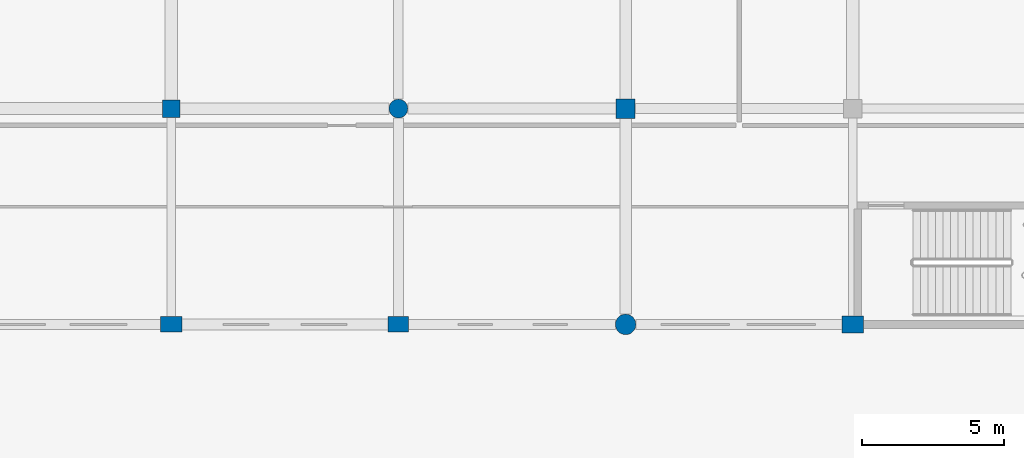
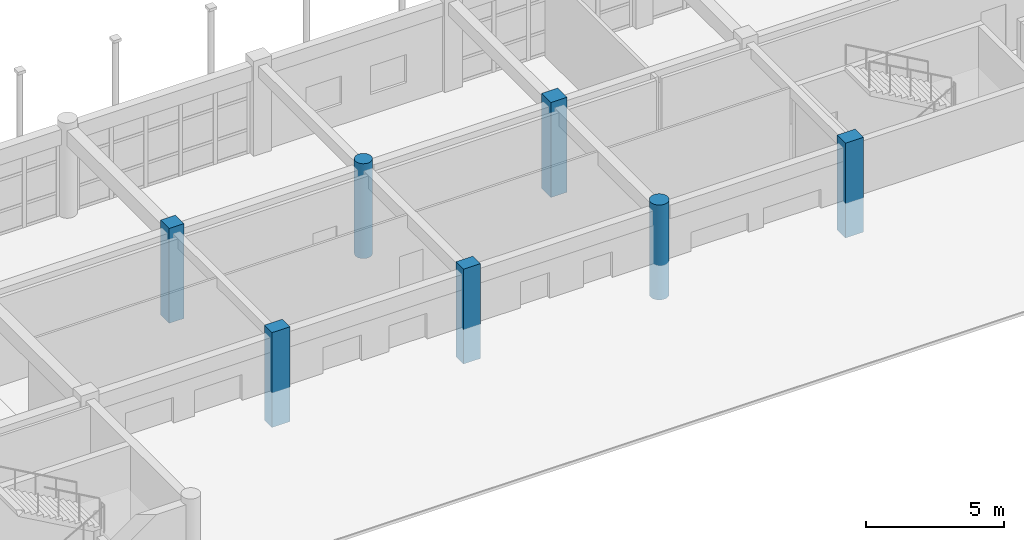
# One storey, part 6 of 195: 7 columns.
"""IFC4 building model written with IfcOpenShell, lengths in metres."""

from ifc_helpers import new_model, si_unit, direction, frame, origin, origin_2d, place, context, subcontext, project, spatial, rectangle, circle, extrude, material, material_profile, profile_set, type_object, element, save


model = new_model("IFC4")

# Units and contexts
model_context = context("Model", 3, precision=1e-05, world=origin(), true_north=direction((0.0, 1.0)))
body_context = subcontext(model_context, "Body", "Model", "MODEL_VIEW")
ifc_project = project(units=[si_unit("LENGTHUNIT", "METRE"), si_unit("AREAUNIT", "SQUARE_METRE"), si_unit("VOLUMEUNIT", "CUBIC_METRE"), si_unit("PLANEANGLEUNIT", "RADIAN"), si_unit("MASSUNIT", "GRAM", prefix="KILO")], contexts=[model_context])

# Site, building, storey
site_placement = place(None, origin())
site = spatial("IfcSite", under=ifc_project, at=site_placement, CompositionType="ELEMENT")
building_placement = place(site_placement, origin())
building = spatial("IfcBuilding", under=site, at=building_placement, Name="Kharva Crest Polytechnic", CompositionType="ELEMENT")
storey_placement = place(building_placement, frame((0.0, 0.0, 9.0)))
storey = spatial("IfcBuildingStorey", under=building, at=storey_placement, Name="L02", CompositionType="ELEMENT", Elevation=9.0)

# Columns
ifc_material = material(Name="Concrete C40/50", Category="concrete")
ifc_material_profile_1 = material_profile(ifc_material, rectangle(XDim=0.719970703125, YDim=0.550048828125, at=origin_2d()), Name="RECT 720 X 550")
ifc_profile_set_1 = profile_set([ifc_material_profile_1], Name="Concrete C40/50")
column_type_1 = type_object("IfcColumnType", Name="COL-EXT-720X550", PredefinedType="COLUMN", material=ifc_profile_set_1)
column_1_placement = place(storey_placement, frame((72.0, 7.60009765625, 0.0), z_axis=(0.0, 0.0, 1.0), x_axis=(1.0, 0.0, 0.0)))
element("IfcColumn", 1, at=column_1_placement, inside=storey, type_object=column_type_1, Name="L02 Column 10/B", PredefinedType="COLUMN", context=body_context, shape_type="SweptSolid", body=[
    extrude(rectangle(XDim=0.719970703125, YDim=0.550048828125, at=origin_2d()), origin(), (0.0, 0.0, 1.0), 4.199951171875),
])
ifc_material_profile_2 = material_profile(ifc_material, rectangle(XDim=0.75, YDim=0.550048828125, at=origin_2d()), Name="RECT 750 X 550")
ifc_profile_set_2 = profile_set([ifc_material_profile_2], Name="Concrete C40/50")
column_type_2 = type_object("IfcColumnType", Name="COL-EXT-750X550", PredefinedType="COLUMN", material=ifc_profile_set_2)
column_2_placement = place(storey_placement, frame((64.0, 7.60009765625, 0.0), z_axis=(0.0, 0.0, 1.0), x_axis=(1.0, 0.0, 0.0)))
element("IfcColumn", 2, at=column_2_placement, inside=storey, type_object=column_type_2, Name="L02 Column 9/B", PredefinedType="COLUMN", context=body_context, shape_type="SweptSolid", body=[
    extrude(rectangle(XDim=0.75, YDim=0.550048828125, at=origin_2d()), origin(), (0.0, 0.0, 1.0), 4.199951171875),
])
ifc_material_profile_3 = material_profile(ifc_material, rectangle(XDim=0.75, YDim=0.60009765625, at=origin_2d()), Name="RECT 750 X 600")
ifc_profile_set_3 = profile_set([ifc_material_profile_3], Name="Concrete C40/50")
column_type_3 = type_object("IfcColumnType", Name="COL-EXT-750X600", PredefinedType="COLUMN", material=ifc_profile_set_3)
column_3_placement = place(storey_placement, frame((88.0, 7.60009765625, 0.0), z_axis=(0.0, 0.0, 1.0), x_axis=(1.0, 0.0, 0.0)))
element("IfcColumn", 3, at=column_3_placement, inside=storey, type_object=column_type_3, Name="L02 Column 12/B", PredefinedType="COLUMN", context=body_context, shape_type="SweptSolid", body=[
    extrude(rectangle(XDim=0.75, YDim=0.60009765625, at=origin_2d()), origin(), (0.0, 0.0, 1.0), 4.199951171875),
])
ifc_material_profile_4 = material_profile(ifc_material, circle(Radius=0.360107421875, at=origin_2d()), Name="DIA 720")
ifc_profile_set_4 = profile_set([ifc_material_profile_4], Name="Concrete C40/50")
column_type_4 = type_object("IfcColumnType", Name="COL-EXT-DIA720", PredefinedType="COLUMN", material=ifc_profile_set_4)
column_4_placement = place(storey_placement, frame((80.0, 7.60009765625, 0.0), z_axis=(0.0, 0.0, 1.0), x_axis=(1.0, 0.0, 0.0)))
element("IfcColumn", 4, at=column_4_placement, inside=storey, type_object=column_type_4, Name="L02 Column 11/B", PredefinedType="COLUMN", context=body_context, shape_type="SweptSolid", body=[
    extrude(circle(Radius=0.360107421875, at=origin_2d()), origin(), (0.0, 0.0, 1.0), 4.199951171875),
])
ifc_material_profile_5 = material_profile(ifc_material, rectangle(XDim=0.6201171875, YDim=0.6201171875, at=origin_2d()), Name="RECT 620 X 620")
ifc_profile_set_5 = profile_set([ifc_material_profile_5], Name="Concrete C40/50")
column_type_5 = type_object("IfcColumnType", Name="COL-INT-620X620", PredefinedType="COLUMN", material=ifc_profile_set_5)
column_5_placement = place(storey_placement, frame((64.0, 15.199951171875, 0.0), z_axis=(0.0, 0.0, 1.0), x_axis=(1.0, 0.0, 0.0)))
element("IfcColumn", 5, at=column_5_placement, inside=storey, type_object=column_type_5, Name="L02 Column 9/C", PredefinedType="COLUMN", context=body_context, shape_type="SweptSolid", body=[
    extrude(rectangle(XDim=0.6201171875, YDim=0.6201171875, at=origin_2d()), origin(), (0.0, 0.0, 1.0), 4.199951171875),
])
ifc_material_profile_6 = material_profile(ifc_material, rectangle(XDim=0.679931640625, YDim=0.679931640625, at=origin_2d()), Name="RECT 680 X 680")
ifc_profile_set_6 = profile_set([ifc_material_profile_6], Name="Concrete C40/50")
column_type_6 = type_object("IfcColumnType", Name="COL-INT-680X680", PredefinedType="COLUMN", material=ifc_profile_set_6)
column_6_placement = place(storey_placement, frame((80.0, 15.199951171875, 0.0), z_axis=(0.0, 0.0, 1.0), x_axis=(1.0, 0.0, 0.0)))
element("IfcColumn", 6, at=column_6_placement, inside=storey, type_object=column_type_6, Name="L02 Column 11/C", PredefinedType="COLUMN", context=body_context, shape_type="SweptSolid", body=[
    extrude(rectangle(XDim=0.679931640625, YDim=0.679931640625, at=origin_2d()), origin(), (0.0, 0.0, 1.0), 4.199951171875),
])
ifc_material_profile_7 = material_profile(ifc_material, circle(Radius=0.330078125, at=origin_2d()), Name="DIA 660")
ifc_profile_set_7 = profile_set([ifc_material_profile_7], Name="Concrete C40/50")
column_type_7 = type_object("IfcColumnType", Name="COL-INT-DIA660", PredefinedType="COLUMN", material=ifc_profile_set_7)
column_7_placement = place(storey_placement, frame((72.0, 15.199951171875, 0.0), z_axis=(0.0, 0.0, 1.0), x_axis=(1.0, 0.0, 0.0)))
element("IfcColumn", 7, at=column_7_placement, inside=storey, type_object=column_type_7, Name="L02 Column 10/C", PredefinedType="COLUMN", context=body_context, shape_type="SweptSolid", body=[
    extrude(circle(Radius=0.330078125, at=origin_2d()), origin(), (0.0, 0.0, 1.0), 4.199951171875),
])

save(model, "model.ifc")
